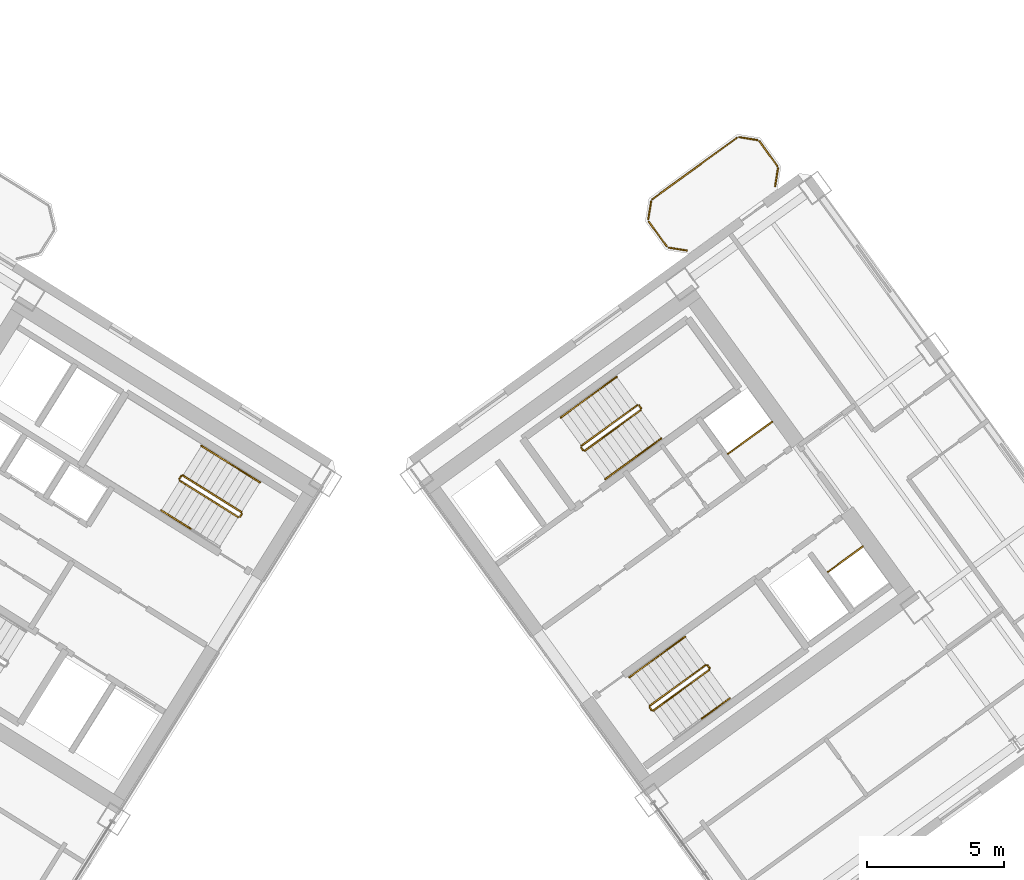
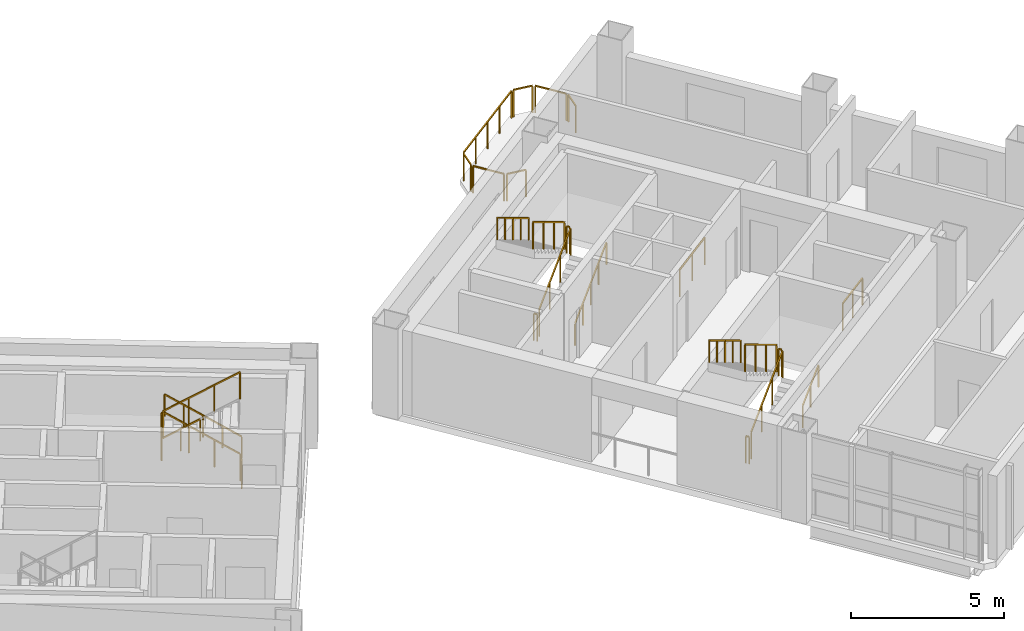
# One storey, part 17 of 18: 31 railings.
"""IFC4 building model written with IfcOpenShell, lengths in metres."""

import ifcopenshell
import ifcopenshell.guid

model = None  # the IFC model being written
_history = None  # IfcOwnerHistory: only IFC2X3 demands one
_inside = {}  # id of a spatial element -> (the spatial element, [elements in it])
_under = {}  # id of a project, library or spatial element -> (it, [spatial elements below it])
_declared = {}  # id of a project -> (the project, [libraries it declares])
_typed = {}  # id of a type object -> (the type object, [elements of that type])
_made_of = {}  # id of a material, layer set ... -> (it, [elements and type objects made of it])


def new_model(schema):
    """Start an empty IFC model of exactly this schema.

    Asked for "IFC4X3", IfcOpenShell would pick the latest addendum, in which some entities
    have other attributes; the version numbers below select the first issue.
    IFC2X3 requires an IfcOwnerHistory on every rooted entity: one is made here for all.
    """
    global model, _history
    if schema == "IFC4X3":
        model = ifcopenshell.file(schema_version=(4, 3, 0, 0))
    else:
        model = ifcopenshell.file(schema=schema)
    _inside.clear()
    _under.clear()
    _declared.clear()
    _typed.clear()
    _made_of.clear()
    _history = None
    if model.schema == "IFC2X3":
        org = make("IfcOrganization", Name="unknown")
        user = make(
            "IfcPersonAndOrganization",
            ThePerson=make("IfcPerson", FamilyName="unknown"),
            TheOrganization=org,
        )
        app = make(
            "IfcApplication",
            ApplicationDeveloper=org,
            Version="unknown",
            ApplicationFullName="unknown",
            ApplicationIdentifier="unknown",
        )
        _history = make(
            "IfcOwnerHistory",
            OwningUser=user,
            OwningApplication=app,
            ChangeAction="ADDED",
            CreationDate=0,
        )
    return model


def make(cls, **values):
    """One entity of the class cls with the attributes given. An attribute that is None is left unset."""
    return model.create_entity(
        cls, **{name: value for name, value in values.items() if value is not None}
    )


def rooted(cls, **values):
    """An entity with a GlobalId (a new one), such as an element, a storey or a relation."""
    return make(cls, GlobalId=ifcopenshell.guid.new(), OwnerHistory=_history, **values)


def si_unit(unit_type, name, prefix=None):
    """IfcSIUnit, for example si_unit("LENGTHUNIT", "METRE", prefix="MILLI")."""
    return make("IfcSIUnit", UnitType=unit_type, Prefix=prefix, Name=name)


def assignment(units):
    """IfcUnitAssignment: the units of a project."""
    return None if units is None else make("IfcUnitAssignment", Units=units)


def point(xyz):
    """IfcCartesianPoint."""
    return None if xyz is None else make("IfcCartesianPoint", Coordinates=xyz)


def direction(xyz):
    """IfcDirection."""
    return None if xyz is None else make("IfcDirection", DirectionRatios=xyz)


def frame(location, z_axis=None, x_axis=None):
    """IfcAxis2Placement3D, a coordinate frame: its origin and axes. An axis left out is left unset."""
    return make(
        "IfcAxis2Placement3D",
        Location=point(location),
        Axis=direction(z_axis),
        RefDirection=direction(x_axis),
    )


def frame_2d(location, x_axis=None):
    """IfcAxis2Placement2D, a coordinate frame in the plane: its origin and x axis."""
    return make(
        "IfcAxis2Placement2D", Location=point(location), RefDirection=direction(x_axis)
    )


def origin():
    """The frame at (0, 0, 0) with its axes left unset."""
    return frame((0.0, 0.0, 0.0))


def origin_2d():
    """The frame at (0, 0) in the plane with its x axis left unset."""
    return frame_2d((0.0, 0.0))


def place(relative_to, where):
    """IfcLocalPlacement: puts the frame where relative to a parent placement (None: the world)."""
    return make(
        "IfcLocalPlacement", PlacementRelTo=relative_to, RelativePlacement=where
    )


def context(
    kind, dimensions, precision=None, world=None, true_north=None, identifier=None
):
    """IfcGeometricRepresentationContext, for example the 3D "Model" context."""
    return make(
        "IfcGeometricRepresentationContext",
        ContextIdentifier=identifier,
        ContextType=kind,
        CoordinateSpaceDimension=dimensions,
        Precision=precision,
        WorldCoordinateSystem=world,
        TrueNorth=true_north,
    )


def subcontext(parent, identifier, kind, view, scale=None):
    """IfcGeometricRepresentationSubContext, for example "Body" below "Model"."""
    return make(
        "IfcGeometricRepresentationSubContext",
        ContextIdentifier=identifier,
        ContextType=kind,
        ParentContext=parent,
        TargetScale=scale,
        TargetView=view,
    )


def project(units=None, contexts=None):
    """IfcProject with its units and contexts."""
    return rooted(
        "IfcProject",
        Name="project",
        RepresentationContexts=contexts,
        UnitsInContext=assignment(units),
    )


def spatial(cls, under=None, at=None, **own):
    """A site, building, storey or space (cls), placed at a placement, below another one or the project."""
    s = rooted(cls, ObjectPlacement=at, **own)
    if under is not None:
        _under.setdefault(under.id(), (under, []))[1].append(s)
    return s


def profile(cls, at=None, kind="AREA", **sizes):
    """A parametric profile (cls). Its sizes go by their IFC names, for example OverallWidth=200.0."""
    return make(cls, ProfileType=kind, Position=at, **sizes)


def rectangle(**sizes):
    """IfcRectangleProfileDef."""
    return profile("IfcRectangleProfileDef", **sizes)


def extrude(swept, where, along, depth):
    """IfcExtrudedAreaSolid: the profile swept, set in the frame where, extruded along a direction by depth."""
    return make(
        "IfcExtrudedAreaSolid",
        SweptArea=swept,
        Position=where,
        ExtrudedDirection=direction(along),
        Depth=depth,
    )


def shape(context_of_items, identifier, shape_type, items):
    """IfcShapeRepresentation: the items that make up one representation, for example the "Body"."""
    return make(
        "IfcShapeRepresentation",
        ContextOfItems=context_of_items,
        RepresentationIdentifier=identifier,
        RepresentationType=shape_type,
        Items=items,
    )


def source(mapping_origin, context_of_items, identifier, shape_type, items):
    """IfcRepresentationMap: a shape defined once, which mapped items show again and again."""
    return make(
        "IfcRepresentationMap",
        MappingOrigin=mapping_origin,
        MappedRepresentation=shape(context_of_items, identifier, shape_type, items),
    )


def transform(
    local_origin,
    x_axis=None,
    y_axis=None,
    z_axis=None,
    scale=None,
    scale2=None,
    scale3=None,
    uniform=True,
):
    """IfcCartesianTransformationOperator3D, or its non-uniform kind. x_axis, y_axis, z_axis: its Axis1, 2, 3."""
    if uniform:
        return make(
            "IfcCartesianTransformationOperator3D",
            Axis1=direction(x_axis),
            Axis2=direction(y_axis),
            LocalOrigin=point(local_origin),
            Scale=scale,
            Axis3=direction(z_axis),
        )
    return make(
        "IfcCartesianTransformationOperator3DnonUniform",
        Axis1=direction(x_axis),
        Axis2=direction(y_axis),
        LocalOrigin=point(local_origin),
        Scale=scale,
        Axis3=direction(z_axis),
        Scale2=scale2,
        Scale3=scale3,
    )


def mapped(mapping_source, mapping_target):
    """IfcMappedItem: shows the shape of a source again, moved by a transform."""
    return make(
        "IfcMappedItem", MappingSource=mapping_source, MappingTarget=mapping_target
    )


def material(Name=None, Category=None):
    """IfcMaterial."""
    return make("IfcMaterial", Name=Name, Category=Category)


def made_of(thing, what):
    """Note that an element or type object is made of a material, layer set ...; save() writes the relation."""
    if what is not None:
        _made_of.setdefault(what.id(), (what, []))[1].append(thing)
    return thing


def type_object(cls, material=None, **own):
    """A type object (cls), such as IfcWallType, which elements share."""
    return made_of(rooted(cls, **own), material)


def element(
    cls,
    number,
    at=None,
    inside=None,
    cuts=None,
    type_object=None,
    material=None,
    context=None,
    identifier="Body",
    shape_type=None,
    held_by="IfcProductDefinitionShape",
    body=None,
    shapes=None,
    **own,
):
    """One element of the class cls, such as IfcWall. Its Tag is "e" and its number.

    at: its placement. inside: the storey or other place that contains it. cuts: it is an
    opening in that element (IfcRelVoidsElement). A single representation is given by context,
    identifier, shape_type and body (its items); several are given by shapes. held_by: the class
    of the entity that holds the representations. save() writes the other relations.
    """
    e = rooted(cls, Tag="e%d" % number, ObjectPlacement=at, **own)
    if body is not None:
        shapes = [shape(context, identifier, shape_type, body)]
    if shapes is not None:
        e.Representation = make(held_by, Representations=shapes)
    if inside is not None:
        _inside.setdefault(inside.id(), (inside, []))[1].append(e)
    if cuts is not None:
        rooted(
            "IfcRelVoidsElement", RelatingBuildingElement=cuts, RelatedOpeningElement=e
        )
    if type_object is not None:
        _typed.setdefault(type_object.id(), (type_object, []))[1].append(e)
    return made_of(e, material)


def aggregate(whole, parts):
    """IfcRelAggregates: a whole, such as a stair, and the parts it consists of."""
    return rooted("IfcRelAggregates", RelatingObject=whole, RelatedObjects=parts)


def save(model, path):
    """Write the relations noted so far, then the file.

    IfcRelAggregates (storeys below a building ...), IfcRelContainedInSpatialStructure (elements
    in a storey), IfcRelDefinesByType, IfcRelAssociatesMaterial and IfcRelDeclares: one each for
    every whole, place, type object, material and project.
    """
    for whole, parts in _under.values():
        aggregate(whole, parts)
    for where, things in _inside.values():
        rooted(
            "IfcRelContainedInSpatialStructure",
            RelatedElements=things,
            RelatingStructure=where,
        )
    for kind, things in _typed.values():
        rooted("IfcRelDefinesByType", RelatedObjects=things, RelatingType=kind)
    for what, things in _made_of.values():
        rooted("IfcRelAssociatesMaterial", RelatedObjects=things, RelatingMaterial=what)
    for by, libraries in _declared.values():
        rooted("IfcRelDeclares", RelatingContext=by, RelatedDefinitions=libraries)
    model.write(path)


model = new_model("IFC4")

# Units and contexts
model_context = context("Model", 3, precision=1e-05, world=origin(), true_north=direction((0.0, 1.0)))
body_context = subcontext(model_context, "Body", "Model", "MODEL_VIEW")
ifc_project = project(units=[si_unit("LENGTHUNIT", "METRE"), si_unit("AREAUNIT", "SQUARE_METRE"), si_unit("VOLUMEUNIT", "CUBIC_METRE"), si_unit("PLANEANGLEUNIT", "RADIAN"), si_unit("MASSUNIT", "GRAM", prefix="KILO")], contexts=[model_context])

# Site, building, storey
site_placement = place(None, origin())
site = spatial("IfcSite", under=ifc_project, at=site_placement, CompositionType="ELEMENT")
building_placement = place(site_placement, origin())
building = spatial("IfcBuilding", under=site, at=building_placement, Name="Tlacorven Tower", CompositionType="ELEMENT")
storey_placement = place(building_placement, frame((0.0, 0.0, 140.699951171875)))
storey = spatial("IfcBuildingStorey", under=building, at=storey_placement, Name="L35", CompositionType="ELEMENT", Elevation=140.699951171875)

# Railings
ifc_material = material(Name="Aluminium and painted steel balustrade", Category="steel")
railing_type_1 = type_object("IfcRailingType", Name="RL-GRD-1100", PredefinedType="GUARDRAIL", material=ifc_material)
shared_shape_1 = source(origin(), body_context, "Body", "SweptSolid", [
    extrude(rectangle(XDim=0.048095703125, YDim=0.048095703125, at=origin_2d()), frame((0.0, 0.0, 1.076171875), z_axis=(0.808947177504, 0.587881334972, 0.0), x_axis=(-0.587881334972, 0.808947177504, 0.0)), (0.0, 0.0, 1.0), 2.0),
    extrude(rectangle(XDim=0.0419921875, YDim=0.0419921875, at=origin_2d()), origin(), (0.0, 0.0, 1.0), 1.052001953125),
    extrude(rectangle(XDim=0.0419921875, YDim=0.0419921875, at=origin_2d()), frame((0.80908203125, 0.587890625, 0.0)), (0.0, 0.0, 1.0), 1.052001953125),
    extrude(rectangle(XDim=0.0419921875, YDim=0.0419921875, at=origin_2d()), frame((1.617919921875, 1.17578125, 0.0)), (0.0, 0.0, 1.0), 1.052001953125),
])
railing_1_placement = place(storey_placement, frame((55.506103515625, 25.438232421875, 0.0)))
element("IfcRailing", 1, at=railing_1_placement, inside=storey, type_object=railing_type_1, Name="L35 Electrical Riser E Shaft Guard 1", PredefinedType="GUARDRAIL", context=body_context, shape_type="MappedRepresentation", body=[
    mapped(shared_shape_1, transform((0.0, 0.0, 0.0), scale=1.0)),
])
shared_shape_2 = source(origin(), body_context, "Body", "SweptSolid", [
    extrude(rectangle(XDim=0.048095703125, YDim=0.048095703125, at=origin_2d()), frame((0.0, 0.0, 1.076171875), z_axis=(0.809029975545, 0.58776738483, 0.0), x_axis=(-0.58776738483, 0.809029975545, 0.0)), (0.0, 0.0, 1.0), 1.580078125),
    extrude(rectangle(XDim=0.0419921875, YDim=0.0419921875, at=origin_2d()), origin(), (0.0, 0.0, 1.0), 1.052001953125),
    extrude(rectangle(XDim=0.0419921875, YDim=0.0419921875, at=origin_2d()), frame((0.63916015625, 0.46435546875, 0.0)), (0.0, 0.0, 1.0), 1.052001953125),
    extrude(rectangle(XDim=0.0419921875, YDim=0.0419921875, at=origin_2d()), frame((1.2783203125, 0.9287109375, 0.0)), (0.0, 0.0, 1.0), 1.052001953125),
])
railing_2_placement = place(storey_placement, frame((59.160888671875, 21.122314453125, 0.0)))
element("IfcRailing", 2, at=railing_2_placement, inside=storey, type_object=railing_type_1, Name="L35 Smoke Riser E Shaft Guard 1", PredefinedType="GUARDRAIL", context=body_context, shape_type="MappedRepresentation", body=[
    mapped(shared_shape_2, transform((0.0, 0.0, 0.0), scale=1.0)),
])
railing_type_2 = type_object("IfcRailingType", Name="RL-BAL-1100", PredefinedType="BALUSTRADE", material=ifc_material)
shared_shape_3 = source(origin(), body_context, "Body", "SweptSolid", [
    extrude(rectangle(XDim=0.048095703125, YDim=0.048095703125, at=origin_2d()), frame((0.0, 0.0, 1.076171875), z_axis=(0.58788449985, -0.808944877501, 0.0), x_axis=(0.808944877501, 0.58788449985, 0.0)), (0.0, 0.0, 1.0), 1.112060546875),
    extrude(rectangle(XDim=0.0419921875, YDim=0.0419921875, at=origin_2d()), origin(), (0.0, 0.0, 1.0), 1.052001953125),
    extrude(rectangle(XDim=0.0419921875, YDim=0.0419921875, at=origin_2d()), frame((0.65380859375, -0.899658203125, 0.0)), (0.0, 0.0, 1.0), 1.052001953125),
])
railing_3_placement = place(storey_placement, frame((56.658447265625, 36.866943359375, 0.0)))
element("IfcRailing", 3, at=railing_3_placement, inside=storey, type_object=railing_type_2, Name="BAL-L35-E-IN Guard Railing 6", PredefinedType="BALUSTRADE", context=body_context, shape_type="MappedRepresentation", body=[
    mapped(shared_shape_3, transform((0.0, 0.0, 0.0), scale=1.0)),
])
shared_shape_4 = source(origin(), body_context, "Body", "SweptSolid", [
    extrude(rectangle(XDim=0.048095703125, YDim=0.048095703125, at=origin_2d()), frame((0.0, 0.0, 1.076171875), z_axis=(-0.987718317463, 0.156245081039, 0.0), x_axis=(-0.156245081039, -0.987718317463, 0.0)), (0.0, 0.0, 1.0), 0.66552734375),
    extrude(rectangle(XDim=0.0419921875, YDim=0.0419921875, at=origin_2d()), origin(), (0.0, 0.0, 1.0), 1.052001953125),
    extrude(rectangle(XDim=0.0419921875, YDim=0.0419921875, at=origin_2d()), frame((-0.657470703125, 0.10400390625, 0.0)), (0.0, 0.0, 1.0), 1.052001953125),
])
railing_4_placement = place(storey_placement, frame((54.00341796875, 32.8759765625, 0.0)))
element("IfcRailing", 4, at=railing_4_placement, inside=storey, type_object=railing_type_2, Name="BAL-L35-E-IN Guard Railing 1", PredefinedType="BALUSTRADE", context=body_context, shape_type="MappedRepresentation", body=[
    mapped(shared_shape_4, transform((0.0, 0.0, 0.0), scale=1.0)),
])
shared_shape_5 = source(origin(), body_context, "Body", "SweptSolid", [
    extrude(rectangle(XDim=0.048095703125, YDim=0.048095703125, at=origin_2d()), frame((0.0, 0.0, 1.076171875), z_axis=(-0.587740817519, 0.809049276263, 0.0), x_axis=(-0.809049276263, -0.587740817519, 0.0)), (0.0, 0.0, 1.0), 1.112060546875),
    extrude(rectangle(XDim=0.0419921875, YDim=0.0419921875, at=origin_2d()), origin(), (0.0, 0.0, 1.0), 1.052001953125),
    extrude(rectangle(XDim=0.0419921875, YDim=0.0419921875, at=origin_2d()), frame((-0.653564453125, 0.899658203125, 0.0)), (0.0, 0.0, 1.0), 1.052001953125),
])
railing_5_placement = place(storey_placement, frame((53.26708984375, 33.0283203125, 0.0)))
element("IfcRailing", 5, at=railing_5_placement, inside=storey, type_object=railing_type_2, Name="BAL-L35-E-IN Guard Railing 2", PredefinedType="BALUSTRADE", context=body_context, shape_type="MappedRepresentation", body=[
    mapped(shared_shape_5, transform((0.0, 0.0, 0.0), scale=1.0)),
])
shared_shape_6 = source(origin(), body_context, "Body", "SweptSolid", [
    extrude(rectangle(XDim=0.048095703125, YDim=0.048095703125, at=origin_2d()), frame((0.0, 0.0, 1.076171875), z_axis=(0.156546163506, 0.987670642822, 0.0), x_axis=(-0.987670642822, 0.156546163506, 0.0)), (0.0, 0.0, 1.0), 0.666015625),
    extrude(rectangle(XDim=0.0419921875, YDim=0.0419921875, at=origin_2d()), origin(), (0.0, 0.0, 1.0), 1.052001953125),
    extrude(rectangle(XDim=0.0419921875, YDim=0.0419921875, at=origin_2d()), frame((0.104248046875, 0.65771484375, 0.0)), (0.0, 0.0, 1.0), 1.052001953125),
])
railing_6_placement = place(storey_placement, frame((52.591796875, 34.017822265625, 0.0)))
element("IfcRailing", 6, at=railing_6_placement, inside=storey, type_object=railing_type_2, Name="BAL-L35-E-IN Guard Railing 3", PredefinedType="BALUSTRADE", context=body_context, shape_type="MappedRepresentation", body=[
    mapped(shared_shape_6, transform((0.0, 0.0, 0.0), scale=1.0)),
])
shared_shape_7 = source(origin(), body_context, "Body", "SweptSolid", [
    extrude(rectangle(XDim=0.048095703125, YDim=0.048095703125, at=origin_2d()), frame((0.0, 0.0, 1.076171875), z_axis=(0.809040198054, 0.587753313843, 0.0), x_axis=(-0.587753313843, 0.809040198054, 0.0)), (0.0, 0.0, 1.0), 3.8173828125),
    extrude(rectangle(XDim=0.0419921875, YDim=0.0419921875, at=origin_2d()), origin(), (0.0, 0.0, 1.0), 1.052001953125),
    extrude(rectangle(XDim=0.0419921875, YDim=0.0419921875, at=origin_2d()), frame((0.77197265625, 0.56103515625, 0.0)), (0.0, 0.0, 1.0), 1.052001953125),
    extrude(rectangle(XDim=0.0419921875, YDim=0.0419921875, at=origin_2d()), frame((1.544189453125, 1.121826171875, 0.0)), (0.0, 0.0, 1.0), 1.052001953125),
    extrude(rectangle(XDim=0.0419921875, YDim=0.0419921875, at=origin_2d()), frame((2.31640625, 1.6826171875, 0.0)), (0.0, 0.0, 1.0), 1.052001953125),
    extrude(rectangle(XDim=0.0419921875, YDim=0.0419921875, at=origin_2d()), frame((3.08837890625, 2.24365234375, 0.0)), (0.0, 0.0, 1.0), 1.052001953125),
])
railing_7_placement = place(storey_placement, frame((52.744140625, 34.754150390625, 0.0)))
element("IfcRailing", 7, at=railing_7_placement, inside=storey, type_object=railing_type_2, Name="BAL-L35-E-IN Guard Railing 4", PredefinedType="BALUSTRADE", context=body_context, shape_type="MappedRepresentation", body=[
    mapped(shared_shape_7, transform((0.0, 0.0, 0.0), scale=1.0)),
])
shared_shape_8 = source(origin(), body_context, "Body", "SweptSolid", [
    extrude(rectangle(XDim=0.048095703125, YDim=0.048095703125, at=origin_2d()), frame((0.0, 0.0, 1.076171875), z_axis=(0.987670642822, -0.156546163506, 0.0), x_axis=(0.156546163506, 0.987670642822, 0.0)), (0.0, 0.0, 1.0), 0.666015625),
    extrude(rectangle(XDim=0.0419921875, YDim=0.0419921875, at=origin_2d()), origin(), (0.0, 0.0, 1.0), 1.052001953125),
    extrude(rectangle(XDim=0.0419921875, YDim=0.0419921875, at=origin_2d()), frame((0.65771484375, -0.104248046875, 0.0)), (0.0, 0.0, 1.0), 1.052001953125),
])
railing_8_placement = place(storey_placement, frame((55.922119140625, 37.01953125, 0.0)))
element("IfcRailing", 8, at=railing_8_placement, inside=storey, type_object=railing_type_2, Name="BAL-L35-E-IN Guard Railing 5", PredefinedType="BALUSTRADE", context=body_context, shape_type="MappedRepresentation", body=[
    mapped(shared_shape_8, transform((0.0, 0.0, 0.0), scale=1.0)),
])
shared_shape_9 = source(origin(), body_context, "Body", "SweptSolid", [
    extrude(rectangle(XDim=0.048095703125, YDim=0.048095703125, at=origin_2d()), frame((0.0, 0.0, 1.076171875), z_axis=(-0.156245081039, -0.987718317463, 0.0), x_axis=(0.987718317463, -0.156245081039, 0.0)), (0.0, 0.0, 1.0), 0.66552734375),
    extrude(rectangle(XDim=0.0419921875, YDim=0.0419921875, at=origin_2d()), origin(), (0.0, 0.0, 1.0), 1.052001953125),
    extrude(rectangle(XDim=0.0419921875, YDim=0.0419921875, at=origin_2d()), frame((-0.10400390625, -0.657470703125, 0.0)), (0.0, 0.0, 1.0), 1.052001953125),
])
railing_9_placement = place(storey_placement, frame((57.333740234375, 35.87744140625, 0.0)))
element("IfcRailing", 9, at=railing_9_placement, inside=storey, type_object=railing_type_2, Name="BAL-L35-E-IN Guard Railing 7", PredefinedType="BALUSTRADE", context=body_context, shape_type="MappedRepresentation", body=[
    mapped(shared_shape_9, transform((0.0, 0.0, 0.0), scale=1.0)),
])
shared_shape_10 = source(origin(), body_context, "Body", "SweptSolid", [
    extrude(rectangle(XDim=0.048095703125, YDim=0.048095703125, at=origin_2d()), frame((0.0, 0.0, 1.076171875), z_axis=(-0.713319727316, 0.445773895627, 0.540796265334), x_axis=(-0.529955395941, -0.84802551749, 0.0)), (0.0, 0.0, 1.0), 2.995849609375),
    extrude(rectangle(XDim=0.0419921875, YDim=0.0419921875, at=origin_2d()), origin(), (0.0, 0.0, 1.0), 1.052001953125),
    extrude(rectangle(XDim=0.0419921875, YDim=0.0419921875, at=origin_2d()), frame((-0.71240234375, 0.445068359375, 0.5400390625)), (0.0, 0.0, 1.0), 1.052001953125),
    extrude(rectangle(XDim=0.0419921875, YDim=0.0419921875, at=origin_2d()), frame((-1.424560546875, 0.890380859375, 1.080078125)), (0.0, 0.0, 1.0), 1.052001953125),
    extrude(rectangle(XDim=0.0419921875, YDim=0.0419921875, at=origin_2d()), frame((-2.136962890625, 1.33544921875, 1.6201171875)), (0.0, 0.0, 1.0), 1.052001953125),
])
railing_10_placement = place(storey_placement, frame((37.712158203125, 23.3095703125, 0.179931640625)))
element("IfcRailing", 10, at=railing_10_placement, inside=storey, type_object=railing_type_1, Name="L35 ST-W2 stair guard 1", PredefinedType="GUARDRAIL", context=body_context, shape_type="MappedRepresentation", body=[
    mapped(shared_shape_10, transform((0.0, 0.0, 0.0), scale=1.0)),
])
shared_shape_11 = source(origin(), body_context, "Body", "SweptSolid", [
    extrude(rectangle(XDim=0.048095703125, YDim=0.048095703125, at=origin_2d()), frame((0.0, 0.0, 1.076171875), z_axis=(-0.530546985787, -0.847655529016, 0.0), x_axis=(0.847655529016, -0.530546985787, 0.0)), (0.0, 0.0, 1.0), 0.1201171875),
    extrude(rectangle(XDim=0.0419921875, YDim=0.0419921875, at=origin_2d()), origin(), (0.0, 0.0, 1.0), 1.052001953125),
    extrude(rectangle(XDim=0.0419921875, YDim=0.0419921875, at=origin_2d()), frame((-0.063720703125, -0.101806640625, 0.0)), (0.0, 0.0, 1.0), 1.052001953125),
])
railing_11_placement = place(storey_placement, frame((37.728271484375, 23.24072265625, 0.0)))
element("IfcRailing", 11, at=railing_11_placement, inside=storey, type_object=railing_type_1, Name="L35 ST-W2 stair guard 4", PredefinedType="GUARDRAIL", context=body_context, shape_type="MappedRepresentation", body=[
    mapped(shared_shape_11, transform((0.0, 0.0, 0.0), scale=1.0)),
])
railing_type_3 = type_object("IfcRailingType", Name="RL-HND-0900", PredefinedType="HANDRAIL", material=ifc_material)
shared_shape_12 = source(origin(), body_context, "Body", "SweptSolid", [
    extrude(rectangle(XDim=0.048095703125, YDim=0.048095703125, at=origin_2d()), frame((0.0, 0.0, 0.8759765625), z_axis=(-0.713359751793, 0.4457479829, 0.540764828981), x_axis=(-0.529911857636, -0.848052724267, 0.0)), (0.0, 0.0, 1.0), 1.498046875),
    extrude(rectangle(XDim=0.0419921875, YDim=0.0419921875, at=origin_2d()), origin(), (0.0, 0.0, 1.0), 0.851806640625),
    extrude(rectangle(XDim=0.0419921875, YDim=0.0419921875, at=origin_2d()), frame((-0.5341796875, 0.333984375, 0.405029296875)), (0.0, 0.0, 1.0), 0.851806640625),
    extrude(rectangle(XDim=0.0419921875, YDim=0.0419921875, at=origin_2d()), frame((-1.068603515625, 0.667724609375, 0.81005859375)), (0.0, 0.0, 1.0), 0.851806640625),
])
for number, where, name in (
    (12, (38.390625, 24.39501953125, 0.179931640625), "L35 ST-W2 stair handrail 1"),
    (13, (37.322021484375, 25.062744140625, 0.989990234375), "L35 ST-W2 stair handrail 2"),
):
    element("IfcRailing", number, at=place(storey_placement, frame(where)), inside=storey, type_object=railing_type_3, Name=name, PredefinedType="HANDRAIL", context=body_context, shape_type="MappedRepresentation", body=[
        mapped(shared_shape_12, transform((0.0, 0.0, 0.0), scale=1.0)),
    ])
shared_shape_13 = source(origin(), body_context, "Body", "SweptSolid", [
    extrude(rectangle(XDim=0.048095703125, YDim=0.048095703125, at=origin_2d()), frame((0.0, 0.0, 0.8759765625), z_axis=(0.713359751793, -0.4457479829, 0.540764828981), x_axis=(0.529911857636, 0.848052724267, 0.0)), (0.0, 0.0, 1.0), 1.498046875),
    extrude(rectangle(XDim=0.0419921875, YDim=0.0419921875, at=origin_2d()), origin(), (0.0, 0.0, 1.0), 0.851806640625),
    extrude(rectangle(XDim=0.0419921875, YDim=0.0419921875, at=origin_2d()), frame((0.5341796875, -0.333984375, 0.405029296875)), (0.0, 0.0, 1.0), 0.851806640625),
    extrude(rectangle(XDim=0.0419921875, YDim=0.0419921875, at=origin_2d()), frame((1.068603515625, -0.667724609375, 0.81005859375)), (0.0, 0.0, 1.0), 0.851806640625),
])
railing_12_placement = place(storey_placement, frame((34.7802734375, 23.372802734375, 1.97998046875)))
element("IfcRailing", 14, at=railing_12_placement, inside=storey, type_object=railing_type_3, Name="L35 ST-W2 stair handrail 3", PredefinedType="HANDRAIL", context=body_context, shape_type="MappedRepresentation", body=[
    mapped(shared_shape_13, transform((0.0, 0.0, 0.0), scale=1.0)),
])
shared_shape_14 = source(origin(), body_context, "Body", "SweptSolid", [
    extrude(rectangle(XDim=0.048095703125, YDim=0.048095703125, at=origin_2d()), frame((0.0, 0.0, 1.076171875), z_axis=(-0.531462422766, -0.847081869236, 0.0), x_axis=(0.847081869236, -0.531462422766, 0.0)), (0.0, 0.0, 1.0), 0.119873046875),
    extrude(rectangle(XDim=0.0419921875, YDim=0.0419921875, at=origin_2d()), origin(), (0.0, 0.0, 1.0), 1.052001953125),
    extrude(rectangle(XDim=0.0419921875, YDim=0.0419921875, at=origin_2d()), frame((-0.063720703125, -0.1015625, 0.0)), (0.0, 0.0, 1.0), 1.052001953125),
])
railing_13_placement = place(storey_placement, frame((35.50634765625, 24.62890625, 1.800048828125)))
element("IfcRailing", 15, at=railing_13_placement, inside=storey, type_object=railing_type_1, Name="L35 ST-W2 stair guard 2", PredefinedType="GUARDRAIL", context=body_context, shape_type="MappedRepresentation", body=[
    mapped(shared_shape_14, transform((0.0, 0.0, 0.0), scale=1.0)),
])
shared_shape_15 = source(origin(), body_context, "Body", "SweptSolid", [
    extrude(rectangle(XDim=0.048095703125, YDim=0.048095703125, at=origin_2d()), frame((0.0, 0.0, 1.076171875), z_axis=(0.713385662783, -0.445682681033, 0.540784470897), x_axis=(0.52984217967, 0.848096259066, 0.0)), (0.0, 0.0, 1.0), 2.995849609375),
    extrude(rectangle(XDim=0.0419921875, YDim=0.0419921875, at=origin_2d()), origin(), (0.0, 0.0, 1.0), 1.052001953125),
    extrude(rectangle(XDim=0.0419921875, YDim=0.0419921875, at=origin_2d()), frame((0.71240234375, -0.445068359375, 0.5400390625)), (0.0, 0.0, 1.0), 1.052001953125),
    extrude(rectangle(XDim=0.0419921875, YDim=0.0419921875, at=origin_2d()), frame((1.4248046875, -0.89013671875, 1.080078125)), (0.0, 0.0, 1.0), 1.052001953125),
    extrude(rectangle(XDim=0.0419921875, YDim=0.0419921875, at=origin_2d()), frame((2.13720703125, -1.335205078125, 1.6201171875)), (0.0, 0.0, 1.0), 1.052001953125),
])
railing_14_placement = place(storey_placement, frame((35.45849609375, 24.458251953125, 1.97998046875)))
element("IfcRailing", 16, at=railing_14_placement, inside=storey, type_object=railing_type_1, Name="L35 ST-W2 stair guard 3", PredefinedType="GUARDRAIL", context=body_context, shape_type="MappedRepresentation", body=[
    mapped(shared_shape_15, transform((0.0, 0.0, 0.0), scale=1.0)),
])
shared_shape_16 = source(origin(), body_context, "Body", "SweptSolid", [
    extrude(rectangle(XDim=0.048095703125, YDim=0.048095703125, at=origin_2d()), frame((0.0, 0.0, 1.076171875), z_axis=(-0.587567097037, 0.809175448515, 0.0), x_axis=(-0.809175448515, -0.587567097037, 0.0)), (0.0, 0.0, 1.0), 0.1201171875),
    extrude(rectangle(XDim=0.0419921875, YDim=0.0419921875, at=origin_2d()), origin(), (0.0, 0.0, 1.0), 1.052001953125),
    extrude(rectangle(XDim=0.0419921875, YDim=0.0419921875, at=origin_2d()), frame((-0.070556640625, 0.09716796875, 0.0)), (0.0, 0.0, 1.0), 1.052001953125),
])
for number, where, name in (
    (17, (54.8310546875, 17.605712890625, 1.800048828125), "L35 ST-E2 stair guard 2"),
    (18, (52.71142578125, 16.065673828125, 0.0), "L35 ST-E2 stair guard 4"),
):
    element("IfcRailing", number, at=place(storey_placement, frame(where)), inside=storey, type_object=railing_type_1, Name=name, PredefinedType="GUARDRAIL", context=body_context, shape_type="MappedRepresentation", body=[
        mapped(shared_shape_16, transform((0.0, 0.0, 0.0), scale=1.0)),
    ])
shared_shape_17 = source(origin(), body_context, "Body", "SweptSolid", [
    extrude(rectangle(XDim=0.048095703125, YDim=0.048095703125, at=origin_2d()), frame((0.0, 0.0, 1.076171875), z_axis=(-0.587201422542, 0.809440849824, 0.0), x_axis=(-0.809440849824, -0.587201422542, 0.0)), (0.0, 0.0, 1.0), 0.11962890625),
    extrude(rectangle(XDim=0.0419921875, YDim=0.0419921875, at=origin_2d()), origin(), (0.0, 0.0, 1.0), 1.052001953125),
    extrude(rectangle(XDim=0.0419921875, YDim=0.0419921875, at=origin_2d()), frame((-0.0703125, 0.096923828125, 0.0)), (0.0, 0.0, 1.0), 1.052001953125),
])
for number, where, name in (
    (19, (52.326904296875, 27.10888671875, 1.800048828125), "L35 ST-E1 stair guard 2"),
    (20, (50.207275390625, 25.56884765625, 0.0), "L35 ST-E1 stair guard 4"),
):
    element("IfcRailing", number, at=place(storey_placement, frame(where)), inside=storey, type_object=railing_type_1, Name=name, PredefinedType="GUARDRAIL", context=body_context, shape_type="MappedRepresentation", body=[
        mapped(shared_shape_17, transform((0.0, 0.0, 0.0), scale=1.0)),
    ])
shared_shape_18 = source(origin(), body_context, "Body", "SweptSolid", [
    extrude(rectangle(XDim=0.048095703125, YDim=0.048095703125, at=origin_2d()), frame((0.0, 0.0, 1.076171875), z_axis=(0.680488636597, 0.494434078831, 0.540805100894), x_axis=(-0.5878087079, 0.808999952359, 0.0)), (0.0, 0.0, 1.0), 2.995849609375),
    extrude(rectangle(XDim=0.0419921875, YDim=0.0419921875, at=origin_2d()), origin(), (0.0, 0.0, 1.0), 1.052001953125),
    extrude(rectangle(XDim=0.0419921875, YDim=0.0419921875, at=origin_2d()), frame((0.679443359375, 0.49365234375, 0.5400390625)), (0.0, 0.0, 1.0), 1.052001953125),
    extrude(rectangle(XDim=0.0419921875, YDim=0.0419921875, at=origin_2d()), frame((1.359130859375, 0.987548828125, 1.080078125)), (0.0, 0.0, 1.0), 1.052001953125),
    extrude(rectangle(XDim=0.0419921875, YDim=0.0419921875, at=origin_2d()), frame((2.03857421875, 1.481201171875, 1.6201171875)), (0.0, 0.0, 1.0), 1.052001953125),
])
railing_15_placement = place(storey_placement, frame((50.27734375, 25.557861328125, 0.179931640625)))
element("IfcRailing", 21, at=railing_15_placement, inside=storey, type_object=railing_type_1, Name="L35 ST-E1 stair guard 1", PredefinedType="GUARDRAIL", context=body_context, shape_type="MappedRepresentation", body=[
    mapped(shared_shape_18, transform((0.0, 0.0, 0.0), scale=1.0)),
])
shared_shape_19 = source(origin(), body_context, "Body", "SweptSolid", [
    extrude(rectangle(XDim=0.048095703125, YDim=0.048095703125, at=origin_2d()), frame((0.0, 0.0, 1.076171875), z_axis=(-0.680488636597, -0.494434078831, 0.540805100894), x_axis=(0.5878087079, -0.808999952359, 0.0)), (0.0, 0.0, 1.0), 2.995849609375),
    extrude(rectangle(XDim=0.0419921875, YDim=0.0419921875, at=origin_2d()), origin(), (0.0, 0.0, 1.0), 1.052001953125),
    extrude(rectangle(XDim=0.0419921875, YDim=0.0419921875, at=origin_2d()), frame((-0.679443359375, -0.49365234375, 0.5400390625)), (0.0, 0.0, 1.0), 1.052001953125),
    extrude(rectangle(XDim=0.0419921875, YDim=0.0419921875, at=origin_2d()), frame((-1.359130859375, -0.987548828125, 1.080078125)), (0.0, 0.0, 1.0), 1.052001953125),
    extrude(rectangle(XDim=0.0419921875, YDim=0.0419921875, at=origin_2d()), frame((-2.03857421875, -1.481201171875, 1.6201171875)), (0.0, 0.0, 1.0), 1.052001953125),
])
railing_16_placement = place(storey_placement, frame((52.1865234375, 27.217041015625, 1.97998046875)))
element("IfcRailing", 22, at=railing_16_placement, inside=storey, type_object=railing_type_1, Name="L35 ST-E1 stair guard 3", PredefinedType="GUARDRAIL", context=body_context, shape_type="MappedRepresentation", body=[
    mapped(shared_shape_19, transform((0.0, 0.0, 0.0), scale=1.0)),
])
shared_shape_20 = source(origin(), body_context, "Body", "SweptSolid", [
    extrude(rectangle(XDim=0.048095703125, YDim=0.048095703125, at=origin_2d()), frame((0.0, 0.0, 0.8759765625), z_axis=(0.680516055757, 0.494372502302, 0.540826891737), x_axis=(-0.587745292299, 0.809046025502, 0.0)), (0.0, 0.0, 1.0), 1.497802734375),
    extrude(rectangle(XDim=0.0419921875, YDim=0.0419921875, at=origin_2d()), origin(), (0.0, 0.0, 1.0), 0.851806640625),
    extrude(rectangle(XDim=0.0419921875, YDim=0.0419921875, at=origin_2d()), frame((0.509765625, 0.3701171875, 0.405029296875)), (0.0, 0.0, 1.0), 0.851806640625),
    extrude(rectangle(XDim=0.0419921875, YDim=0.0419921875, at=origin_2d()), frame((1.019287109375, 0.740478515625, 0.81005859375)), (0.0, 0.0, 1.0), 0.851806640625),
])
for number, where, name in (
    (23, (51.029541015625, 24.522216796875, 0.179931640625), "L35 ST-E1 stair handrail 1"),
    (24, (54.552978515625, 15.759765625, 0.989990234375), "L35 ST-E2 stair handrail 2"),
):
    element("IfcRailing", number, at=place(storey_placement, frame(where)), inside=storey, type_object=railing_type_3, Name=name, PredefinedType="HANDRAIL", context=body_context, shape_type="MappedRepresentation", body=[
        mapped(shared_shape_20, transform((0.0, 0.0, 0.0), scale=1.0)),
    ])
shared_shape_21 = source(origin(), body_context, "Body", "SweptSolid", [
    extrude(rectangle(XDim=0.048095703125, YDim=0.048095703125, at=origin_2d()), frame((0.0, 0.0, 0.8759765625), z_axis=(0.680548719995, 0.49444080854, 0.540723336433), x_axis=(-0.587779977844, 0.80902082646, 0.0)), (0.0, 0.0, 1.0), 1.498046875),
    extrude(rectangle(XDim=0.0419921875, YDim=0.0419921875, at=origin_2d()), origin(), (0.0, 0.0, 1.0), 0.851806640625),
    extrude(rectangle(XDim=0.0419921875, YDim=0.0419921875, at=origin_2d()), frame((0.509765625, 0.370361328125, 0.405029296875)), (0.0, 0.0, 1.0), 0.851806640625),
    extrude(rectangle(XDim=0.0419921875, YDim=0.0419921875, at=origin_2d()), frame((1.01953125, 0.74072265625, 0.81005859375)), (0.0, 0.0, 1.0), 0.851806640625),
])
railing_17_placement = place(storey_placement, frame((52.048828125, 25.2626953125, 0.989990234375)))
element("IfcRailing", 25, at=railing_17_placement, inside=storey, type_object=railing_type_3, Name="L35 ST-E1 stair handrail 2", PredefinedType="HANDRAIL", context=body_context, shape_type="MappedRepresentation", body=[
    mapped(shared_shape_21, transform((0.0, 0.0, 0.0), scale=1.0)),
])
shared_shape_22 = source(origin(), body_context, "Body", "SweptSolid", [
    extrude(rectangle(XDim=0.048095703125, YDim=0.048095703125, at=origin_2d()), frame((0.0, 0.0, 0.8759765625), z_axis=(-0.680603554404, -0.494317667746, 0.540766904577), x_axis=(0.587653156371, -0.809112951205, 0.0)), (0.0, 0.0, 1.0), 1.498046875),
    extrude(rectangle(XDim=0.0419921875, YDim=0.0419921875, at=origin_2d()), origin(), (0.0, 0.0, 1.0), 0.851806640625),
    extrude(rectangle(XDim=0.0419921875, YDim=0.0419921875, at=origin_2d()), frame((-0.509765625, -0.3701171875, 0.405029296875)), (0.0, 0.0, 1.0), 0.851806640625),
    extrude(rectangle(XDim=0.0419921875, YDim=0.0419921875, at=origin_2d()), frame((-1.01953125, -0.740478515625, 0.81005859375)), (0.0, 0.0, 1.0), 0.851806640625),
])
railing_18_placement = place(storey_placement, frame((51.434326171875, 28.25244140625, 1.97998046875)))
element("IfcRailing", 26, at=railing_18_placement, inside=storey, type_object=railing_type_3, Name="L35 ST-E1 stair handrail 3", PredefinedType="HANDRAIL", context=body_context, shape_type="MappedRepresentation", body=[
    mapped(shared_shape_22, transform((0.0, 0.0, 0.0), scale=1.0)),
])
shared_shape_23 = source(origin(), body_context, "Body", "SweptSolid", [
    extrude(rectangle(XDim=0.048095703125, YDim=0.048095703125, at=origin_2d()), frame((0.0, 0.0, 0.8759765625), z_axis=(-0.680461216233, -0.494495647917, 0.540783309093), x_axis=(0.587872112667, -0.808953879494, 0.0)), (0.0, 0.0, 1.0), 1.498046875),
    extrude(rectangle(XDim=0.0419921875, YDim=0.0419921875, at=origin_2d()), origin(), (0.0, 0.0, 1.0), 0.851806640625),
    extrude(rectangle(XDim=0.0419921875, YDim=0.0419921875, at=origin_2d()), frame((-0.509765625, -0.370361328125, 0.405029296875)), (0.0, 0.0, 1.0), 0.851806640625),
    extrude(rectangle(XDim=0.0419921875, YDim=0.0419921875, at=origin_2d()), frame((-1.019287109375, -0.74072265625, 0.81005859375)), (0.0, 0.0, 1.0), 0.851806640625),
])
for number, where, name in (
    (27, (50.414794921875, 27.511962890625, 2.7900390625), "L35 ST-E1 stair handrail 4"),
    (28, (52.9189453125, 18.0087890625, 2.7900390625), "L35 ST-E2 stair handrail 4"),
):
    element("IfcRailing", number, at=place(storey_placement, frame(where)), inside=storey, type_object=railing_type_3, Name=name, PredefinedType="HANDRAIL", context=body_context, shape_type="MappedRepresentation", body=[
        mapped(shared_shape_23, transform((0.0, 0.0, 0.0), scale=1.0)),
    ])
shared_shape_24 = source(origin(), body_context, "Body", "SweptSolid", [
    extrude(rectangle(XDim=0.048095703125, YDim=0.048095703125, at=origin_2d()), frame((0.0, 0.0, 1.076171875), z_axis=(0.680532390839, 0.494406659708, 0.54077511024), x_axis=(-0.587762637553, 0.809033424462, 0.0)), (0.0, 0.0, 1.0), 2.995849609375),
    extrude(rectangle(XDim=0.0419921875, YDim=0.0419921875, at=origin_2d()), origin(), (0.0, 0.0, 1.0), 1.052001953125),
    extrude(rectangle(XDim=0.0419921875, YDim=0.0419921875, at=origin_2d()), frame((0.6796875, 0.49365234375, 0.5400390625)), (0.0, 0.0, 1.0), 1.052001953125),
    extrude(rectangle(XDim=0.0419921875, YDim=0.0419921875, at=origin_2d()), frame((1.359130859375, 0.987548828125, 1.080078125)), (0.0, 0.0, 1.0), 1.052001953125),
    extrude(rectangle(XDim=0.0419921875, YDim=0.0419921875, at=origin_2d()), frame((2.038818359375, 1.481201171875, 1.6201171875)), (0.0, 0.0, 1.0), 1.052001953125),
])
railing_19_placement = place(storey_placement, frame((52.78125, 16.0546875, 0.179931640625)))
element("IfcRailing", 29, at=railing_19_placement, inside=storey, type_object=railing_type_1, Name="L35 ST-E2 stair guard 1", PredefinedType="GUARDRAIL", context=body_context, shape_type="MappedRepresentation", body=[
    mapped(shared_shape_24, transform((0.0, 0.0, 0.0), scale=1.0)),
])
shared_shape_25 = source(origin(), body_context, "Body", "SweptSolid", [
    extrude(rectangle(XDim=0.048095703125, YDim=0.048095703125, at=origin_2d()), frame((0.0, 0.0, 1.076171875), z_axis=(-0.680532390839, -0.494406659708, 0.54077511024), x_axis=(0.587762637553, -0.809033424462, 0.0)), (0.0, 0.0, 1.0), 2.995849609375),
    extrude(rectangle(XDim=0.0419921875, YDim=0.0419921875, at=origin_2d()), origin(), (0.0, 0.0, 1.0), 1.052001953125),
    extrude(rectangle(XDim=0.0419921875, YDim=0.0419921875, at=origin_2d()), frame((-0.6796875, -0.49365234375, 0.5400390625)), (0.0, 0.0, 1.0), 1.052001953125),
    extrude(rectangle(XDim=0.0419921875, YDim=0.0419921875, at=origin_2d()), frame((-1.359130859375, -0.987548828125, 1.080078125)), (0.0, 0.0, 1.0), 1.052001953125),
    extrude(rectangle(XDim=0.0419921875, YDim=0.0419921875, at=origin_2d()), frame((-2.038818359375, -1.481201171875, 1.6201171875)), (0.0, 0.0, 1.0), 1.052001953125),
])
railing_20_placement = place(storey_placement, frame((54.690673828125, 17.7138671875, 1.97998046875)))
element("IfcRailing", 30, at=railing_20_placement, inside=storey, type_object=railing_type_1, Name="L35 ST-E2 stair guard 3", PredefinedType="GUARDRAIL", context=body_context, shape_type="MappedRepresentation", body=[
    mapped(shared_shape_25, transform((0.0, 0.0, 0.0), scale=1.0)),
])
shared_shape_26 = source(origin(), body_context, "Body", "SweptSolid", [
    extrude(rectangle(XDim=0.048095703125, YDim=0.048095703125, at=origin_2d()), frame((0.0, 0.0, 0.8759765625), z_axis=(-0.680516055757, -0.494372502302, 0.540826891737), x_axis=(0.587745292299, -0.809046025502, 0.0)), (0.0, 0.0, 1.0), 1.497802734375),
    extrude(rectangle(XDim=0.0419921875, YDim=0.0419921875, at=origin_2d()), origin(), (0.0, 0.0, 1.0), 0.851806640625),
    extrude(rectangle(XDim=0.0419921875, YDim=0.0419921875, at=origin_2d()), frame((-0.509765625, -0.3701171875, 0.405029296875)), (0.0, 0.0, 1.0), 0.851806640625),
    extrude(rectangle(XDim=0.0419921875, YDim=0.0419921875, at=origin_2d()), frame((-1.019287109375, -0.740478515625, 0.81005859375)), (0.0, 0.0, 1.0), 0.851806640625),
])
railing_21_placement = place(storey_placement, frame((53.938232421875, 18.749267578125, 1.97998046875)))
element("IfcRailing", 31, at=railing_21_placement, inside=storey, type_object=railing_type_3, Name="L35 ST-E2 stair handrail 3", PredefinedType="HANDRAIL", context=body_context, shape_type="MappedRepresentation", body=[
    mapped(shared_shape_26, transform((0.0, 0.0, 0.0), scale=1.0)),
])

save(model, "model.ifc")
